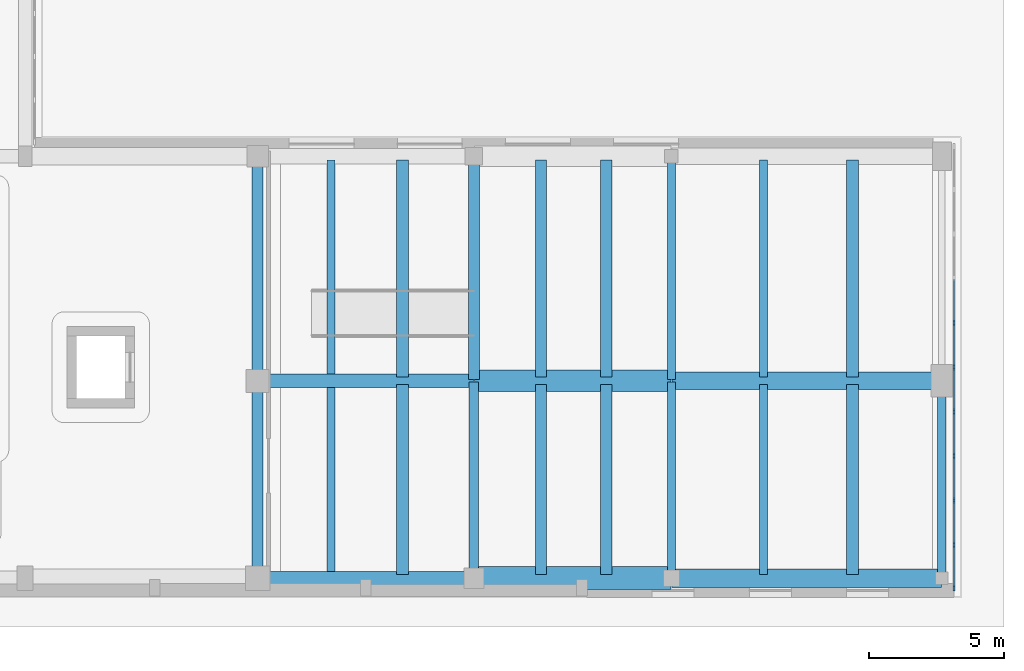
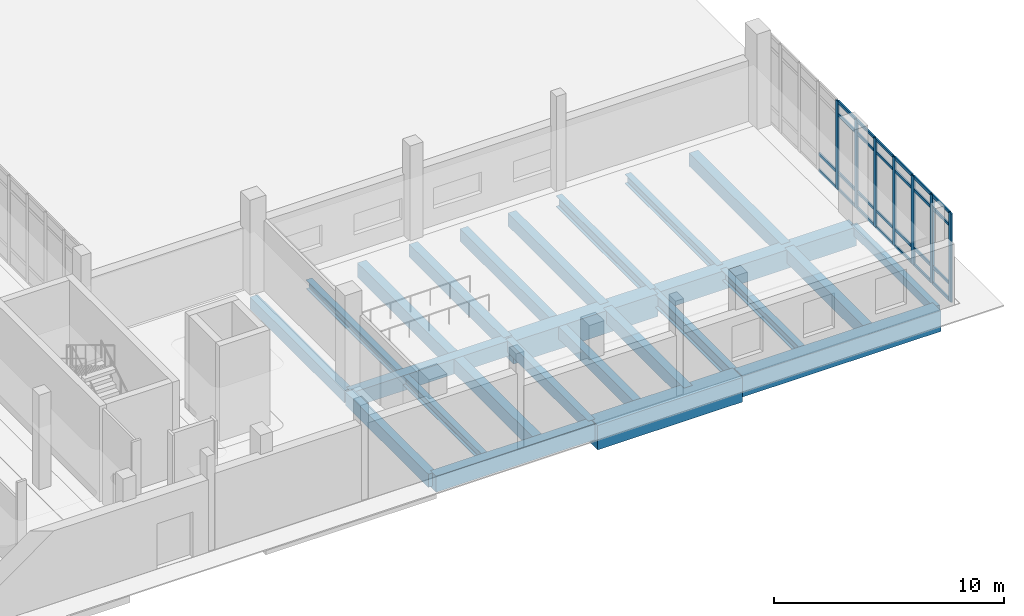
# One storey, part 30 of 74: 33 members, 25 beams, 1 element without a shape of its own.
"""IFC4 building model written with IfcOpenShell, lengths in metres."""

from ifc_helpers import new_model, si_unit, direction, frame, origin, origin_2d, place, context, subcontext, project, spatial, rectangle, i_section, extrude, material, material_profile, profile_set, type_object, element, aggregate, save


model = new_model("IFC4")

# Units and contexts
model_context = context("Model", 3, precision=1e-05, world=origin(), true_north=direction((0.0, 1.0)))
body_context = subcontext(model_context, "Body", "Model", "MODEL_VIEW")
ifc_project = project(units=[si_unit("LENGTHUNIT", "METRE"), si_unit("AREAUNIT", "SQUARE_METRE"), si_unit("VOLUMEUNIT", "CUBIC_METRE"), si_unit("PLANEANGLEUNIT", "RADIAN"), si_unit("MASSUNIT", "GRAM", prefix="KILO")], contexts=[model_context])

# Site, building, storey
site_placement = place(None, origin())
site = spatial("IfcSite", under=ifc_project, at=site_placement, CompositionType="ELEMENT")
building_placement = place(site_placement, origin())
building = spatial("IfcBuilding", under=site, at=building_placement, Name="Soyqirgoq Riverine Aquarium", CompositionType="ELEMENT")
storey_placement = place(building_placement, origin())
storey = spatial("IfcBuildingStorey", under=building, at=storey_placement, Name="L01", CompositionType="ELEMENT", Elevation=0.0)

# Beams
ifc_material_1 = material(Name="Concrete C40/50", Category="concrete")
ifc_material_profile_1 = material_profile(ifc_material_1, rectangle(XDim=0.35009765625, YDim=0.60009765625, at=origin_2d()), Name="RC 350x600")
ifc_profile_set_1 = profile_set([ifc_material_profile_1], Name="Concrete C40/50")
beam_type_1 = type_object("IfcBeamType", Name="Beam_RC_350x600", PredefinedType="JOIST", material=ifc_profile_set_1)
beam_1_placement = place(storey_placement, frame((146.0, 2.25, -0.64990234375), z_axis=(0.0, 1.0, 0.0), x_axis=(-1.0, 0.0, 0.0)))
element("IfcBeam", 1, at=beam_1_placement, inside=storey, type_object=beam_type_1, Name="V6 L01 North-South Frame Beam 1042", PredefinedType="JOIST", context=body_context, shape_type="SweptSolid", body=[
    extrude(rectangle(XDim=0.35009765625, YDim=0.60009765625, at=origin_2d()), origin(), (0.0, 0.0, 1.0), 7.199951171875),
])
ifc_material_2 = material(Name="Concrete C40/50", Category="concrete")
ifc_material_profile_2 = material_profile(ifc_material_2, rectangle(XDim=0.39990234375, YDim=0.64990234375, at=origin_2d()), Name="RC 400x650")
ifc_profile_set_2 = profile_set([ifc_material_profile_2], Name="Concrete C40/50")
beam_type_2 = type_object("IfcBeamType", Name="Beam_RC_400x650", PredefinedType="BEAM", material=ifc_profile_set_2)
beam_2_placement = place(storey_placement, frame((138.0, 9.550048828125, -0.675048828125), z_axis=(0.0, 1.0, 0.0), x_axis=(-1.0, 0.0, 0.0)))
element("IfcBeam", 2, at=beam_2_placement, inside=storey, type_object=beam_type_2, Name="V6 L01 North-South Frame Beam 1039", PredefinedType="BEAM", context=body_context, shape_type="SweptSolid", body=[
    extrude(rectangle(XDim=0.39990234375, YDim=0.64990234375, at=origin_2d()), origin(), (0.0, 0.0, 1.0), 8.199951171875),
])
beam_3_placement = place(storey_placement, frame((148.48193359375, 2.340087890625, -0.675048828125), z_axis=(0.0, 1.0, 0.0), x_axis=(-1.0, 0.0, 0.0)))
element("IfcBeam", 3, at=beam_3_placement, inside=storey, type_object=beam_type_2, Name="V6 L01 Secondary Bay Joist 1058", PredefinedType="BEAM", context=body_context, shape_type="SweptSolid", body=[
    extrude(rectangle(XDim=0.39990234375, YDim=0.64990234375, at=origin_2d()), origin(), (0.0, 0.0, 1.0), 7.02001953125),
])
beam_4_placement = place(storey_placement, frame((148.48193359375, 9.639892578125, -0.675048828125), z_axis=(0.0, 1.0, 0.0), x_axis=(-1.0, 0.0, 0.0)))
element("IfcBeam", 4, at=beam_4_placement, inside=storey, type_object=beam_type_2, Name="V6 L01 Secondary Bay Joist 1066", PredefinedType="BEAM", context=body_context, shape_type="SweptSolid", body=[
    extrude(rectangle(XDim=0.39990234375, YDim=0.64990234375, at=origin_2d()), origin(), (0.0, 0.0, 1.0), 8.02001953125),
])
ifc_material_3 = material(Name="Concrete C40/50", Category="concrete")
ifc_material_profile_3 = material_profile(ifc_material_3, rectangle(XDim=0.39990234375, YDim=0.699951171875, at=origin_2d()), Name="RC 400x700")
ifc_profile_set_3 = profile_set([ifc_material_profile_3], Name="Concrete C40/50")
beam_type_3 = type_object("IfcBeamType", Name="Beam_RC_400x700", PredefinedType="BEAM", material=ifc_profile_set_3)
beam_5_placement = place(storey_placement, frame((138.0, 2.25, -0.699951171875), z_axis=(0.0, 1.0, 0.0), x_axis=(-1.0, 0.0, 0.0)))
element("IfcBeam", 5, at=beam_5_placement, inside=storey, type_object=beam_type_3, Name="V6 L01 North-South Frame Beam 1037", PredefinedType="BEAM", context=body_context, shape_type="SweptSolid", body=[
    extrude(rectangle(XDim=0.39990234375, YDim=0.699951171875, at=origin_2d()), origin(), (0.0, 0.0, 1.0), 7.199951171875),
])
ifc_material_4 = material(Name="Concrete C40/50", Category="concrete")
ifc_material_profile_4 = material_profile(ifc_material_4, rectangle(XDim=0.419921875, YDim=0.679931640625, at=origin_2d()), Name="RC 420x680")
ifc_profile_set_4 = profile_set([ifc_material_profile_4], Name="Concrete C40/50")
beam_type_4 = type_object("IfcBeamType", Name="Beam_RC_420x680", PredefinedType="BEAM", material=ifc_profile_set_4)
beam_6_placement = place(storey_placement, frame((146.0, 9.550048828125, -0.68994140625), z_axis=(0.0, 1.0, 0.0), x_axis=(-1.0, 0.0, 0.0)))
element("IfcBeam", 6, at=beam_6_placement, inside=storey, type_object=beam_type_4, Name="V6 L01 North-South Frame Beam 1044", PredefinedType="BEAM", context=body_context, shape_type="SweptSolid", body=[
    extrude(rectangle(XDim=0.419921875, YDim=0.679931640625, at=origin_2d()), origin(), (0.0, 0.0, 1.0), 8.199951171875),
])
beam_7_placement = place(storey_placement, frame((150.89111328125, 2.340087890625, -0.68994140625), z_axis=(0.0, 1.0, 0.0), x_axis=(-1.0, 0.0, 0.0)))
element("IfcBeam", 7, at=beam_7_placement, inside=storey, type_object=beam_type_4, Name="V6 L01 Secondary Bay Joist 1059", PredefinedType="BEAM", context=body_context, shape_type="SweptSolid", body=[
    extrude(rectangle(XDim=0.419921875, YDim=0.679931640625, at=origin_2d()), origin(), (0.0, 0.0, 1.0), 7.02001953125),
])
beam_8_placement = place(storey_placement, frame((150.89111328125, 9.639892578125, -0.68994140625), z_axis=(0.0, 1.0, 0.0), x_axis=(-1.0, 0.0, 0.0)))
element("IfcBeam", 8, at=beam_8_placement, inside=storey, type_object=beam_type_4, Name="V6 L01 Secondary Bay Joist 1067", PredefinedType="BEAM", context=body_context, shape_type="SweptSolid", body=[
    extrude(rectangle(XDim=0.419921875, YDim=0.679931640625, at=origin_2d()), origin(), (0.0, 0.0, 1.0), 8.02001953125),
])
ifc_material_5 = material(Name="Concrete C40/50", Category="concrete")
ifc_material_profile_5 = material_profile(ifc_material_5, rectangle(XDim=0.449951171875, YDim=0.699951171875, at=origin_2d()), Name="RC 450x700")
ifc_profile_set_5 = profile_set([ifc_material_profile_5], Name="Concrete C40/50")
beam_type_5 = type_object("IfcBeamType", Name="Beam_RC_450x700", PredefinedType="BEAM", material=ifc_profile_set_5)
beam_9_placement = place(storey_placement, frame((160.0, 2.340087890625, -0.699951171875), z_axis=(0.0, 1.0, 0.0), x_axis=(-1.0, 0.0, 0.0)))
element("IfcBeam", 9, at=beam_9_placement, inside=storey, type_object=beam_type_5, Name="V6 L01 Secondary Bay Joist 1061", PredefinedType="BEAM", context=body_context, shape_type="SweptSolid", body=[
    extrude(rectangle(XDim=0.449951171875, YDim=0.699951171875, at=origin_2d()), origin(), (0.0, 0.0, 1.0), 7.02001953125),
])
beam_10_placement = place(storey_placement, frame((160.0, 9.639892578125, -0.699951171875), z_axis=(0.0, 1.0, 0.0), x_axis=(-1.0, 0.0, 0.0)))
element("IfcBeam", 10, at=beam_10_placement, inside=storey, type_object=beam_type_5, Name="V6 L01 Secondary Bay Joist 1069", PredefinedType="BEAM", context=body_context, shape_type="SweptSolid", body=[
    extrude(rectangle(XDim=0.449951171875, YDim=0.699951171875, at=origin_2d()), origin(), (0.0, 0.0, 1.0), 8.02001953125),
])
ifc_material_6 = material(Name="Concrete C40/50", Category="concrete")
ifc_material_profile_6 = material_profile(ifc_material_6, rectangle(XDim=0.449951171875, YDim=0.75, at=origin_2d()), Name="RC 450x750")
ifc_profile_set_6 = profile_set([ifc_material_profile_6], Name="Concrete C40/50")
beam_type_6 = type_object("IfcBeamType", Name="Beam_RC_450x750", PredefinedType="BEAM", material=ifc_profile_set_6)
beam_11_placement = place(storey_placement, frame((143.360107421875, 2.340087890625, -0.72509765625), z_axis=(0.0, 1.0, 0.0), x_axis=(-1.0, 0.0, 0.0)))
element("IfcBeam", 11, at=beam_11_placement, inside=storey, type_object=beam_type_6, Name="V6 L01 Secondary Bay Joist 1057", PredefinedType="BEAM", context=body_context, shape_type="SweptSolid", body=[
    extrude(rectangle(XDim=0.449951171875, YDim=0.75, at=origin_2d()), origin(), (0.0, 0.0, 1.0), 7.02001953125),
])
beam_12_placement = place(storey_placement, frame((143.360107421875, 9.639892578125, -0.72509765625), z_axis=(0.0, 1.0, 0.0), x_axis=(-1.0, 0.0, 0.0)))
element("IfcBeam", 12, at=beam_12_placement, inside=storey, type_object=beam_type_6, Name="V6 L01 Secondary Bay Joist 1065", PredefinedType="BEAM", context=body_context, shape_type="SweptSolid", body=[
    extrude(rectangle(XDim=0.449951171875, YDim=0.75, at=origin_2d()), origin(), (0.0, 0.0, 1.0), 8.02001953125),
])

# Curtain wall, members
ifc_material_7 = material(Name="Structural silicone glazed entrance curtain wall", Category="aluminium")
curtain_wall_type = type_object("IfcCurtainWallType", Name="CW_Portal_Entrance", PredefinedType="NOTDEFINED", material=ifc_material_7)
curtain_wall_placement = place(storey_placement, origin())
curtain_wall = element("IfcCurtainWall", 13, at=curtain_wall_placement, inside=storey, type_object=curtain_wall_type, Name="V6 L01 Curtain Wall 111", PredefinedType="NOTDEFINED")
ifc_material_8 = material(Name="Anodised aluminium 6063-T6", Category="aluminium")
ifc_material_profile_7 = material_profile(ifc_material_8, rectangle(XDim=0.080078125, YDim=0.219970703125, at=origin_2d()), Name="ALU-M 80x220")
ifc_profile_set_7 = profile_set([ifc_material_profile_7], Name="Anodised aluminium 6063-T6")
member_type_1 = type_object("IfcMemberType", Name="CWMullion_80x220", PredefinedType="MULLION", material=ifc_profile_set_7)
member_1_placement = place(storey_placement, frame((163.75, 11.64208984375, 0.0), z_axis=(0.0, 0.0, 1.0), x_axis=(1.0, 0.0, 0.0)))
member_1 = element("IfcMember", 14, at=member_1_placement, type_object=member_type_1, Name="CW-04 mullion 5", PredefinedType="MULLION", context=body_context, shape_type="SweptSolid", body=[
    extrude(rectangle(XDim=0.080078125, YDim=0.219970703125, at=origin_2d()), origin(), (0.0, 0.0, 1.0), 4.699951171875),
])
member_2_placement = place(storey_placement, frame((163.75, 10.0, 0.0), z_axis=(0.0, 0.0, 1.0), x_axis=(1.0, 0.0, 0.0)))
member_2 = element("IfcMember", 15, at=member_2_placement, type_object=member_type_1, Name="CW-04 mullion 6", PredefinedType="MULLION", context=body_context, shape_type="SweptSolid", body=[
    extrude(rectangle(XDim=0.080078125, YDim=0.219970703125, at=origin_2d()), origin(), (0.0, 0.0, 1.0), 4.699951171875),
])
member_3_placement = place(storey_placement, frame((163.75, 8.35791015625, 0.0), z_axis=(0.0, 0.0, 1.0), x_axis=(1.0, 0.0, 0.0)))
member_3 = element("IfcMember", 16, at=member_3_placement, type_object=member_type_1, Name="CW-04 mullion 7", PredefinedType="MULLION", context=body_context, shape_type="SweptSolid", body=[
    extrude(rectangle(XDim=0.080078125, YDim=0.219970703125, at=origin_2d()), origin(), (0.0, 0.0, 1.0), 4.699951171875),
])
member_4_placement = place(storey_placement, frame((163.75, 6.716064453125, 0.0), z_axis=(0.0, 0.0, 1.0), x_axis=(1.0, 0.0, 0.0)))
member_4 = element("IfcMember", 17, at=member_4_placement, type_object=member_type_1, Name="CW-04 mullion 8", PredefinedType="MULLION", context=body_context, shape_type="SweptSolid", body=[
    extrude(rectangle(XDim=0.080078125, YDim=0.219970703125, at=origin_2d()), origin(), (0.0, 0.0, 1.0), 4.699951171875),
])
member_5_placement = place(storey_placement, frame((163.75, 5.073974609375, 0.0), z_axis=(0.0, 0.0, 1.0), x_axis=(1.0, 0.0, 0.0)))
member_5 = element("IfcMember", 18, at=member_5_placement, type_object=member_type_1, Name="CW-04 mullion 9", PredefinedType="MULLION", context=body_context, shape_type="SweptSolid", body=[
    extrude(rectangle(XDim=0.080078125, YDim=0.219970703125, at=origin_2d()), origin(), (0.0, 0.0, 1.0), 4.699951171875),
])
member_6_placement = place(storey_placement, frame((163.75, 3.431884765625, 0.0), z_axis=(0.0, 0.0, 1.0), x_axis=(1.0, 0.0, 0.0)))
member_6 = element("IfcMember", 19, at=member_6_placement, type_object=member_type_1, Name="CW-04 mullion 10", PredefinedType="MULLION", context=body_context, shape_type="SweptSolid", body=[
    extrude(rectangle(XDim=0.080078125, YDim=0.219970703125, at=origin_2d()), origin(), (0.0, 0.0, 1.0), 4.699951171875),
])
member_7_placement = place(storey_placement, frame((163.75, 1.830078125, 0.0), z_axis=(0.0, 0.0, 1.0), x_axis=(1.0, 0.0, 0.0)))
member_7 = element("IfcMember", 20, at=member_7_placement, type_object=member_type_1, Name="CW-04 mullion 11", PredefinedType="MULLION", context=body_context, shape_type="SweptSolid", body=[
    extrude(rectangle(XDim=0.080078125, YDim=0.219970703125, at=origin_2d()), origin(), (0.0, 0.0, 1.0), 4.699951171875),
])
ifc_material_9 = material(Name="Anodised aluminium 6063-T6", Category="aluminium")
ifc_material_profile_8 = material_profile(ifc_material_9, rectangle(XDim=0.074951171875, YDim=0.14990234375, at=origin_2d()), Name="ALU-T 75x150")
ifc_profile_set_8 = profile_set([ifc_material_profile_8], Name="Anodised aluminium 6063-T6")
member_type_2 = type_object("IfcMemberType", Name="CWTransom_75x150", PredefinedType="USERDEFINED", material=ifc_profile_set_8)
member_8_placement = place(storey_placement, frame((163.75, 13.243896484375, 0.03759765625), z_axis=(0.0, -1.0, 0.0), x_axis=(1.0, 0.0, 0.0)))
member_8 = element("IfcMember", 21, at=member_8_placement, type_object=member_type_2, Name="CW-04 transom 4.1", ObjectType="TRANSOM", PredefinedType="USERDEFINED", context=body_context, shape_type="SweptSolid", body=[
    extrude(rectangle(XDim=0.074951171875, YDim=0.14990234375, at=origin_2d()), origin(), (0.0, 0.0, 1.0), 1.56201171875),
])
member_9_placement = place(storey_placement, frame((163.75, 13.243896484375, 0.89990234375), z_axis=(0.0, -1.0, 0.0), x_axis=(1.0, 0.0, 0.0)))
member_9 = element("IfcMember", 22, at=member_9_placement, type_object=member_type_2, Name="CW-04 transom 4.2", ObjectType="TRANSOM", PredefinedType="USERDEFINED", context=body_context, shape_type="SweptSolid", body=[
    extrude(rectangle(XDim=0.074951171875, YDim=0.14990234375, at=origin_2d()), origin(), (0.0, 0.0, 1.0), 1.56201171875),
])
member_10_placement = place(storey_placement, frame((163.75, 11.60205078125, 0.03759765625), z_axis=(0.0, -1.0, 0.0), x_axis=(1.0, 0.0, 0.0)))
member_10 = element("IfcMember", 23, at=member_10_placement, type_object=member_type_2, Name="CW-04 transom 5.1", ObjectType="TRANSOM", PredefinedType="USERDEFINED", context=body_context, shape_type="SweptSolid", body=[
    extrude(rectangle(XDim=0.074951171875, YDim=0.14990234375, at=origin_2d()), origin(), (0.0, 0.0, 1.0), 1.56201171875),
])
member_11_placement = place(storey_placement, frame((163.75, 11.60205078125, 0.89990234375), z_axis=(0.0, -1.0, 0.0), x_axis=(1.0, 0.0, 0.0)))
member_11 = element("IfcMember", 24, at=member_11_placement, type_object=member_type_2, Name="CW-04 transom 5.2", ObjectType="TRANSOM", PredefinedType="USERDEFINED", context=body_context, shape_type="SweptSolid", body=[
    extrude(rectangle(XDim=0.074951171875, YDim=0.14990234375, at=origin_2d()), origin(), (0.0, 0.0, 1.0), 1.56201171875),
])
member_12_placement = place(storey_placement, frame((163.75, 11.60205078125, 4.0), z_axis=(0.0, -1.0, 0.0), x_axis=(1.0, 0.0, 0.0)))
member_12 = element("IfcMember", 25, at=member_12_placement, type_object=member_type_2, Name="CW-04 transom 5.3", ObjectType="TRANSOM", PredefinedType="USERDEFINED", context=body_context, shape_type="SweptSolid", body=[
    extrude(rectangle(XDim=0.074951171875, YDim=0.14990234375, at=origin_2d()), origin(), (0.0, 0.0, 1.0), 1.56201171875),
])
member_13_placement = place(storey_placement, frame((163.75, 11.60205078125, 4.66259765625), z_axis=(0.0, -1.0, 0.0), x_axis=(1.0, 0.0, 0.0)))
member_13 = element("IfcMember", 26, at=member_13_placement, type_object=member_type_2, Name="CW-04 transom 5.4", ObjectType="TRANSOM", PredefinedType="USERDEFINED", context=body_context, shape_type="SweptSolid", body=[
    extrude(rectangle(XDim=0.074951171875, YDim=0.14990234375, at=origin_2d()), origin(), (0.0, 0.0, 1.0), 1.56201171875),
])
member_14_placement = place(storey_placement, frame((163.75, 9.9599609375, 0.03759765625), z_axis=(0.0, -1.0, 0.0), x_axis=(1.0, 0.0, 0.0)))
member_14 = element("IfcMember", 27, at=member_14_placement, type_object=member_type_2, Name="CW-04 transom 6.1", ObjectType="TRANSOM", PredefinedType="USERDEFINED", context=body_context, shape_type="SweptSolid", body=[
    extrude(rectangle(XDim=0.074951171875, YDim=0.14990234375, at=origin_2d()), origin(), (0.0, 0.0, 1.0), 1.56201171875),
])
member_15_placement = place(storey_placement, frame((163.75, 9.9599609375, 0.89990234375), z_axis=(0.0, -1.0, 0.0), x_axis=(1.0, 0.0, 0.0)))
member_15 = element("IfcMember", 28, at=member_15_placement, type_object=member_type_2, Name="CW-04 transom 6.2", ObjectType="TRANSOM", PredefinedType="USERDEFINED", context=body_context, shape_type="SweptSolid", body=[
    extrude(rectangle(XDim=0.074951171875, YDim=0.14990234375, at=origin_2d()), origin(), (0.0, 0.0, 1.0), 1.56201171875),
])
member_16_placement = place(storey_placement, frame((163.75, 9.9599609375, 4.0), z_axis=(0.0, -1.0, 0.0), x_axis=(1.0, 0.0, 0.0)))
member_16 = element("IfcMember", 29, at=member_16_placement, type_object=member_type_2, Name="CW-04 transom 6.3", ObjectType="TRANSOM", PredefinedType="USERDEFINED", context=body_context, shape_type="SweptSolid", body=[
    extrude(rectangle(XDim=0.074951171875, YDim=0.14990234375, at=origin_2d()), origin(), (0.0, 0.0, 1.0), 1.56201171875),
])
member_17_placement = place(storey_placement, frame((163.75, 9.9599609375, 4.66259765625), z_axis=(0.0, -1.0, 0.0), x_axis=(1.0, 0.0, 0.0)))
member_17 = element("IfcMember", 30, at=member_17_placement, type_object=member_type_2, Name="CW-04 transom 6.4", ObjectType="TRANSOM", PredefinedType="USERDEFINED", context=body_context, shape_type="SweptSolid", body=[
    extrude(rectangle(XDim=0.074951171875, YDim=0.14990234375, at=origin_2d()), origin(), (0.0, 0.0, 1.0), 1.56201171875),
])
member_18_placement = place(storey_placement, frame((163.75, 8.318115234375, 0.03759765625), z_axis=(0.0, -1.0, 0.0), x_axis=(1.0, 0.0, 0.0)))
member_18 = element("IfcMember", 31, at=member_18_placement, type_object=member_type_2, Name="CW-04 transom 7.1", ObjectType="TRANSOM", PredefinedType="USERDEFINED", context=body_context, shape_type="SweptSolid", body=[
    extrude(rectangle(XDim=0.074951171875, YDim=0.14990234375, at=origin_2d()), origin(), (0.0, 0.0, 1.0), 1.56201171875),
])
member_19_placement = place(storey_placement, frame((163.75, 8.318115234375, 0.89990234375), z_axis=(0.0, -1.0, 0.0), x_axis=(1.0, 0.0, 0.0)))
member_19 = element("IfcMember", 32, at=member_19_placement, type_object=member_type_2, Name="CW-04 transom 7.2", ObjectType="TRANSOM", PredefinedType="USERDEFINED", context=body_context, shape_type="SweptSolid", body=[
    extrude(rectangle(XDim=0.074951171875, YDim=0.14990234375, at=origin_2d()), origin(), (0.0, 0.0, 1.0), 1.56201171875),
])
member_20_placement = place(storey_placement, frame((163.75, 8.318115234375, 4.0), z_axis=(0.0, -1.0, 0.0), x_axis=(1.0, 0.0, 0.0)))
member_20 = element("IfcMember", 33, at=member_20_placement, type_object=member_type_2, Name="CW-04 transom 7.3", ObjectType="TRANSOM", PredefinedType="USERDEFINED", context=body_context, shape_type="SweptSolid", body=[
    extrude(rectangle(XDim=0.074951171875, YDim=0.14990234375, at=origin_2d()), origin(), (0.0, 0.0, 1.0), 1.56201171875),
])
member_21_placement = place(storey_placement, frame((163.75, 8.318115234375, 4.66259765625), z_axis=(0.0, -1.0, 0.0), x_axis=(1.0, 0.0, 0.0)))
member_21 = element("IfcMember", 34, at=member_21_placement, type_object=member_type_2, Name="CW-04 transom 7.4", ObjectType="TRANSOM", PredefinedType="USERDEFINED", context=body_context, shape_type="SweptSolid", body=[
    extrude(rectangle(XDim=0.074951171875, YDim=0.14990234375, at=origin_2d()), origin(), (0.0, 0.0, 1.0), 1.56201171875),
])
member_22_placement = place(storey_placement, frame((163.75, 6.676025390625, 0.03759765625), z_axis=(0.0, -1.0, 0.0), x_axis=(1.0, 0.0, 0.0)))
member_22 = element("IfcMember", 35, at=member_22_placement, type_object=member_type_2, Name="CW-04 transom 8.1", ObjectType="TRANSOM", PredefinedType="USERDEFINED", context=body_context, shape_type="SweptSolid", body=[
    extrude(rectangle(XDim=0.074951171875, YDim=0.14990234375, at=origin_2d()), origin(), (0.0, 0.0, 1.0), 1.56201171875),
])
member_23_placement = place(storey_placement, frame((163.75, 6.676025390625, 0.89990234375), z_axis=(0.0, -1.0, 0.0), x_axis=(1.0, 0.0, 0.0)))
member_23 = element("IfcMember", 36, at=member_23_placement, type_object=member_type_2, Name="CW-04 transom 8.2", ObjectType="TRANSOM", PredefinedType="USERDEFINED", context=body_context, shape_type="SweptSolid", body=[
    extrude(rectangle(XDim=0.074951171875, YDim=0.14990234375, at=origin_2d()), origin(), (0.0, 0.0, 1.0), 1.56201171875),
])
member_24_placement = place(storey_placement, frame((163.75, 6.676025390625, 4.0), z_axis=(0.0, -1.0, 0.0), x_axis=(1.0, 0.0, 0.0)))
member_24 = element("IfcMember", 37, at=member_24_placement, type_object=member_type_2, Name="CW-04 transom 8.3", ObjectType="TRANSOM", PredefinedType="USERDEFINED", context=body_context, shape_type="SweptSolid", body=[
    extrude(rectangle(XDim=0.074951171875, YDim=0.14990234375, at=origin_2d()), origin(), (0.0, 0.0, 1.0), 1.56201171875),
])
member_25_placement = place(storey_placement, frame((163.75, 6.676025390625, 4.66259765625), z_axis=(0.0, -1.0, 0.0), x_axis=(1.0, 0.0, 0.0)))
member_25 = element("IfcMember", 38, at=member_25_placement, type_object=member_type_2, Name="CW-04 transom 8.4", ObjectType="TRANSOM", PredefinedType="USERDEFINED", context=body_context, shape_type="SweptSolid", body=[
    extrude(rectangle(XDim=0.074951171875, YDim=0.14990234375, at=origin_2d()), origin(), (0.0, 0.0, 1.0), 1.56201171875),
])
member_26_placement = place(storey_placement, frame((163.75, 5.033935546875, 0.03759765625), z_axis=(0.0, -1.0, 0.0), x_axis=(1.0, 0.0, 0.0)))
member_26 = element("IfcMember", 39, at=member_26_placement, type_object=member_type_2, Name="CW-04 transom 9.1", ObjectType="TRANSOM", PredefinedType="USERDEFINED", context=body_context, shape_type="SweptSolid", body=[
    extrude(rectangle(XDim=0.074951171875, YDim=0.14990234375, at=origin_2d()), origin(), (0.0, 0.0, 1.0), 1.56201171875),
])
member_27_placement = place(storey_placement, frame((163.75, 5.033935546875, 0.89990234375), z_axis=(0.0, -1.0, 0.0), x_axis=(1.0, 0.0, 0.0)))
member_27 = element("IfcMember", 40, at=member_27_placement, type_object=member_type_2, Name="CW-04 transom 9.2", ObjectType="TRANSOM", PredefinedType="USERDEFINED", context=body_context, shape_type="SweptSolid", body=[
    extrude(rectangle(XDim=0.074951171875, YDim=0.14990234375, at=origin_2d()), origin(), (0.0, 0.0, 1.0), 1.56201171875),
])
member_28_placement = place(storey_placement, frame((163.75, 5.033935546875, 4.0), z_axis=(0.0, -1.0, 0.0), x_axis=(1.0, 0.0, 0.0)))
member_28 = element("IfcMember", 41, at=member_28_placement, type_object=member_type_2, Name="CW-04 transom 9.3", ObjectType="TRANSOM", PredefinedType="USERDEFINED", context=body_context, shape_type="SweptSolid", body=[
    extrude(rectangle(XDim=0.074951171875, YDim=0.14990234375, at=origin_2d()), origin(), (0.0, 0.0, 1.0), 1.56201171875),
])
member_29_placement = place(storey_placement, frame((163.75, 5.033935546875, 4.66259765625), z_axis=(0.0, -1.0, 0.0), x_axis=(1.0, 0.0, 0.0)))
member_29 = element("IfcMember", 42, at=member_29_placement, type_object=member_type_2, Name="CW-04 transom 9.4", ObjectType="TRANSOM", PredefinedType="USERDEFINED", context=body_context, shape_type="SweptSolid", body=[
    extrude(rectangle(XDim=0.074951171875, YDim=0.14990234375, at=origin_2d()), origin(), (0.0, 0.0, 1.0), 1.56201171875),
])
member_30_placement = place(storey_placement, frame((163.75, 3.39208984375, 0.03759765625), z_axis=(0.0, -1.0, 0.0), x_axis=(1.0, 0.0, 0.0)))
member_30 = element("IfcMember", 43, at=member_30_placement, type_object=member_type_2, Name="CW-04 transom 10.1", ObjectType="TRANSOM", PredefinedType="USERDEFINED", context=body_context, shape_type="SweptSolid", body=[
    extrude(rectangle(XDim=0.074951171875, YDim=0.14990234375, at=origin_2d()), origin(), (0.0, 0.0, 1.0), 1.52197265625),
])
member_31_placement = place(storey_placement, frame((163.75, 3.39208984375, 0.89990234375), z_axis=(0.0, -1.0, 0.0), x_axis=(1.0, 0.0, 0.0)))
member_31 = element("IfcMember", 44, at=member_31_placement, type_object=member_type_2, Name="CW-04 transom 10.2", ObjectType="TRANSOM", PredefinedType="USERDEFINED", context=body_context, shape_type="SweptSolid", body=[
    extrude(rectangle(XDim=0.074951171875, YDim=0.14990234375, at=origin_2d()), origin(), (0.0, 0.0, 1.0), 1.52197265625),
])
member_32_placement = place(storey_placement, frame((163.75, 3.39208984375, 4.0), z_axis=(0.0, -1.0, 0.0), x_axis=(1.0, 0.0, 0.0)))
member_32 = element("IfcMember", 45, at=member_32_placement, type_object=member_type_2, Name="CW-04 transom 10.3", ObjectType="TRANSOM", PredefinedType="USERDEFINED", context=body_context, shape_type="SweptSolid", body=[
    extrude(rectangle(XDim=0.074951171875, YDim=0.14990234375, at=origin_2d()), origin(), (0.0, 0.0, 1.0), 1.52197265625),
])
member_33_placement = place(storey_placement, frame((163.75, 3.39208984375, 4.66259765625), z_axis=(0.0, -1.0, 0.0), x_axis=(1.0, 0.0, 0.0)))
member_33 = element("IfcMember", 46, at=member_33_placement, type_object=member_type_2, Name="CW-04 transom 10.4", ObjectType="TRANSOM", PredefinedType="USERDEFINED", context=body_context, shape_type="SweptSolid", body=[
    extrude(rectangle(XDim=0.074951171875, YDim=0.14990234375, at=origin_2d()), origin(), (0.0, 0.0, 1.0), 1.52197265625),
])
aggregate(curtain_wall, [member_1, member_2, member_3, member_4, member_5, member_6, member_7, member_8, member_9, member_10, member_11, member_12, member_13, member_14, member_15, member_16, member_17, member_18, member_19, member_20, member_21, member_22, member_23, member_24, member_25, member_26, member_27, member_28, member_29, member_30, member_31, member_32, member_33])

# Beams
ifc_material_10 = material(Name="Concrete C40/50", Category="concrete")
ifc_material_profile_9 = material_profile(ifc_material_10, rectangle(XDim=0.5, YDim=0.800048828125, at=origin_2d()), Name="RC 500x800")
ifc_profile_set_9 = profile_set([ifc_material_profile_9], Name="Concrete C40/50")
beam_type_7 = type_object("IfcBeamType", Name="Girder_RC_500x800", PredefinedType="BEAM", material=ifc_profile_set_9)
beam_13_placement = place(storey_placement, frame((138.02001953125, 9.5, -0.75), z_axis=(1.0, 0.0, 0.0), x_axis=(0.0, 1.0, 0.0)))
element("IfcBeam", 47, at=beam_13_placement, inside=storey, type_object=beam_type_7, Name="V6 L01 East-West Frame Girder 1040", PredefinedType="BEAM", context=body_context, shape_type="SweptSolid", body=[
    extrude(rectangle(XDim=0.5, YDim=0.800048828125, at=origin_2d()), origin(), (0.0, 0.0, 1.0), 7.9599609375),
])
ifc_material_11 = material(Name="Concrete C40/50", Category="concrete")
ifc_material_profile_10 = material_profile(ifc_material_11, rectangle(XDim=0.5, YDim=0.85009765625, at=origin_2d()), Name="RC 500x850")
ifc_profile_set_10 = profile_set([ifc_material_profile_10], Name="Concrete C40/50")
beam_type_8 = type_object("IfcBeamType", Name="Girder_RC_500x850", PredefinedType="BEAM", material=ifc_profile_set_10)
beam_14_placement = place(storey_placement, frame((138.02001953125, 2.199951171875, -0.77490234375), z_axis=(1.0, 0.0, 0.0), x_axis=(0.0, 1.0, 0.0)))
element("IfcBeam", 48, at=beam_14_placement, inside=storey, type_object=beam_type_8, Name="V6 L01 East-West Frame Girder 1038", PredefinedType="BEAM", context=body_context, shape_type="SweptSolid", body=[
    extrude(rectangle(XDim=0.5, YDim=0.85009765625, at=origin_2d()), origin(), (0.0, 0.0, 1.0), 7.9599609375),
])
ifc_material_12 = material(Name="Concrete C40/50", Category="concrete")
ifc_material_profile_11 = material_profile(ifc_material_12, rectangle(XDim=0.64990234375, YDim=1.0, at=origin_2d()), Name="RC 650x1000")
ifc_profile_set_11 = profile_set([ifc_material_profile_11], Name="Concrete C40/50")
beam_type_9 = type_object("IfcBeamType", Name="Girder_RC_650x1000", PredefinedType="BEAM", material=ifc_profile_set_11)
beam_15_placement = place(storey_placement, frame((153.320068359375, 9.5, -0.85009765625), z_axis=(1.0, 0.0, 0.0), x_axis=(0.0, 1.0, 0.0)))
element("IfcBeam", 49, at=beam_15_placement, inside=storey, type_object=beam_type_9, Name="V6 L01 East-West Frame Girder 1050", PredefinedType="BEAM", context=body_context, shape_type="SweptSolid", body=[
    extrude(rectangle(XDim=0.64990234375, YDim=1.0, at=origin_2d()), origin(), (0.0, 0.0, 1.0), 9.9599609375),
])
ifc_material_13 = material(Name="Concrete C40/50", Category="concrete")
ifc_material_profile_12 = material_profile(ifc_material_13, rectangle(XDim=0.699951171875, YDim=1.10009765625, at=origin_2d()), Name="RC 700x1100")
ifc_profile_set_12 = profile_set([ifc_material_profile_12], Name="Concrete C40/50")
beam_type_10 = type_object("IfcBeamType", Name="Girder_RC_700x1100", PredefinedType="BEAM", material=ifc_profile_set_12)
beam_16_placement = place(storey_placement, frame((153.320068359375, 2.199951171875, -0.89990234375), z_axis=(1.0, 0.0, 0.0), x_axis=(0.0, 1.0, 0.0)))
element("IfcBeam", 50, at=beam_16_placement, inside=storey, type_object=beam_type_10, Name="V6 L01 East-West Frame Girder 1048", PredefinedType="BEAM", context=body_context, shape_type="SweptSolid", body=[
    extrude(rectangle(XDim=0.699951171875, YDim=1.10009765625, at=origin_2d()), origin(), (0.0, 0.0, 1.0), 9.9599609375),
])
ifc_material_14 = material(Name="Concrete C40/50", Category="concrete")
ifc_material_profile_13 = material_profile(ifc_material_14, rectangle(XDim=0.800048828125, YDim=1.199951171875, at=origin_2d()), Name="RC 800x1200")
ifc_profile_set_13 = profile_set([ifc_material_profile_13], Name="Concrete C40/50")
beam_type_11 = type_object("IfcBeamType", Name="Girder_RC_800x1200", PredefinedType="BEAM", material=ifc_profile_set_13)
beam_17_placement = place(storey_placement, frame((146.02001953125, 9.5, -0.949951171875), z_axis=(1.0, 0.0, 0.0), x_axis=(0.0, 1.0, 0.0)))
element("IfcBeam", 51, at=beam_17_placement, inside=storey, type_object=beam_type_11, Name="V6 L01 East-West Frame Girder 1045", PredefinedType="BEAM", context=body_context, shape_type="SweptSolid", body=[
    extrude(rectangle(XDim=0.800048828125, YDim=1.199951171875, at=origin_2d()), origin(), (0.0, 0.0, 1.0), 7.260009765625),
])
ifc_material_15 = material(Name="Concrete C40/50", Category="concrete")
ifc_material_profile_14 = material_profile(ifc_material_15, rectangle(XDim=0.85009765625, YDim=1.300048828125, at=origin_2d()), Name="RC 850x1300")
ifc_profile_set_14 = profile_set([ifc_material_profile_14], Name="Concrete C40/50")
beam_type_12 = type_object("IfcBeamType", Name="Girder_RC_850x1300", PredefinedType="BEAM", material=ifc_profile_set_14)
beam_18_placement = place(storey_placement, frame((146.02001953125, 2.199951171875, -1.0), z_axis=(1.0, 0.0, 0.0), x_axis=(0.0, 1.0, 0.0)))
element("IfcBeam", 52, at=beam_18_placement, inside=storey, type_object=beam_type_12, Name="V6 L01 East-West Frame Girder 1043", PredefinedType="BEAM", context=body_context, shape_type="SweptSolid", body=[
    extrude(rectangle(XDim=0.85009765625, YDim=1.300048828125, at=origin_2d()), origin(), (0.0, 0.0, 1.0), 7.260009765625),
])
ifc_material_16 = material(Name="Concrete C40/50", Category="concrete")
ifc_material_profile_15 = material_profile(ifc_material_16, rectangle(XDim=0.300048828125, YDim=0.449951171875, at=origin_2d()), Name="RC 300x450")
ifc_profile_set_15 = profile_set([ifc_material_profile_15], Name="Concrete C40/50")
beam_type_13 = type_object("IfcBeamType", Name="Lintel_RC_300x450", PredefinedType="LINTEL", material=ifc_profile_set_15)
beam_19_placement = place(storey_placement, frame((163.300048828125, 2.25, -0.574951171875), z_axis=(0.0, 1.0, 0.0), x_axis=(-1.0, 0.0, 0.0)))
element("IfcBeam", 53, at=beam_19_placement, inside=storey, type_object=beam_type_13, Name="V6 L01 North-South Frame Beam 1052", PredefinedType="LINTEL", context=body_context, shape_type="SweptSolid", body=[
    extrude(rectangle(XDim=0.300048828125, YDim=0.449951171875, at=origin_2d()), origin(), (0.0, 0.0, 1.0), 7.199951171875),
])
ifc_material_17 = material(Name="Structural steel S355", Category="steel")
ifc_material_profile_16 = material_profile(ifc_material_17, i_section(OverallWidth=0.300048828125, OverallDepth=0.489990234375, WebThickness=0.011962890625, FlangeThickness=0.02294921875, FilletRadius=0.027099609375, at=origin_2d()), Name="HEA 500")
ifc_profile_set_16 = profile_set([ifc_material_profile_16], Name="Structural steel S355")
beam_type_14 = type_object("IfcBeamType", Name="SteelBeam_HEA500", PredefinedType="BEAM", material=ifc_profile_set_16)
for number, where, z_axis, x_axis, name in (
    (54, (140.719970703125, 2.340087890625, -0.594970703125), (0.0, 1.0, 0.0), (-1.0, 0.0, 0.0), "V6 L01 Secondary Bay Joist 1056"),
    (55, (156.699951171875, 2.340087890625, -0.594970703125), (0.0, 1.0, 0.0), (-1.0, 0.0, 0.0), "V6 L01 Secondary Bay Joist 1060"),
):
    element("IfcBeam", number, at=place(storey_placement, frame(where, z_axis=z_axis, x_axis=x_axis)), inside=storey, type_object=beam_type_14, Name=name, PredefinedType="BEAM", context=body_context, shape_type="SweptSolid", body=[
        extrude(i_section(OverallWidth=0.300048828125, OverallDepth=0.489990234375, WebThickness=0.011962890625, FlangeThickness=0.02294921875, FilletRadius=0.027099609375, at=origin_2d()), origin(), (0.0, 0.0, 1.0), 7.02001953125),
    ])
for number, where, z_axis, x_axis, name in (
    (56, (140.719970703125, 9.639892578125, -0.594970703125), (0.0, 1.0, 0.0), (-1.0, 0.0, 0.0), "V6 L01 Secondary Bay Joist 1064"),
    (57, (156.699951171875, 9.639892578125, -0.594970703125), (0.0, 1.0, 0.0), (-1.0, 0.0, 0.0), "V6 L01 Secondary Bay Joist 1068"),
):
    element("IfcBeam", number, at=place(storey_placement, frame(where, z_axis=z_axis, x_axis=x_axis)), inside=storey, type_object=beam_type_14, Name=name, PredefinedType="BEAM", context=body_context, shape_type="SweptSolid", body=[
        extrude(i_section(OverallWidth=0.300048828125, OverallDepth=0.489990234375, WebThickness=0.011962890625, FlangeThickness=0.02294921875, FilletRadius=0.027099609375, at=origin_2d()), origin(), (0.0, 0.0, 1.0), 8.02001953125),
    ])
ifc_material_18 = material(Name="Structural steel S355", Category="steel")
ifc_material_profile_17 = material_profile(ifc_material_18, i_section(OverallWidth=0.300048828125, OverallDepth=0.590087890625, WebThickness=0.012939453125, FlangeThickness=0.02490234375, FilletRadius=0.027099609375, at=origin_2d()), Name="HEA 600")
ifc_profile_set_17 = profile_set([ifc_material_profile_17], Name="Structural steel S355")
beam_type_15 = type_object("IfcBeamType", Name="SteelBeam_HEA600", PredefinedType="BEAM", material=ifc_profile_set_17)
beam_20_placement = place(storey_placement, frame((153.300048828125, 9.550048828125, -0.64501953125), z_axis=(0.0, 1.0, 0.0), x_axis=(-1.0, 0.0, 0.0)))
element("IfcBeam", 58, at=beam_20_placement, inside=storey, type_object=beam_type_15, Name="V6 L01 North-South Frame Beam 1049", PredefinedType="BEAM", context=body_context, shape_type="SweptSolid", body=[
    extrude(i_section(OverallWidth=0.300048828125, OverallDepth=0.590087890625, WebThickness=0.012939453125, FlangeThickness=0.02490234375, FilletRadius=0.027099609375, at=origin_2d()), origin(), (0.0, 0.0, 1.0), 8.199951171875),
])
ifc_material_19 = material(Name="Structural steel S355", Category="steel")
ifc_material_profile_18 = material_profile(ifc_material_19, i_section(OverallWidth=0.300048828125, OverallDepth=0.68994140625, WebThickness=0.014404296875, FlangeThickness=0.027099609375, FilletRadius=0.027099609375, at=origin_2d()), Name="HEA 700")
ifc_profile_set_18 = profile_set([ifc_material_profile_18], Name="Structural steel S355")
beam_type_16 = type_object("IfcBeamType", Name="SteelBeam_HEA700", PredefinedType="BEAM", material=ifc_profile_set_18)
beam_21_placement = place(storey_placement, frame((153.300048828125, 2.25, -0.695068359375), z_axis=(0.0, 1.0, 0.0), x_axis=(-1.0, 0.0, 0.0)))
element("IfcBeam", 59, at=beam_21_placement, inside=storey, type_object=beam_type_16, Name="V6 L01 North-South Frame Beam 1047", PredefinedType="BEAM", context=body_context, shape_type="SweptSolid", body=[
    extrude(i_section(OverallWidth=0.300048828125, OverallDepth=0.68994140625, WebThickness=0.014404296875, FlangeThickness=0.027099609375, FilletRadius=0.027099609375, at=origin_2d()), origin(), (0.0, 0.0, 1.0), 7.199951171875),
])

save(model, "model.ifc")
